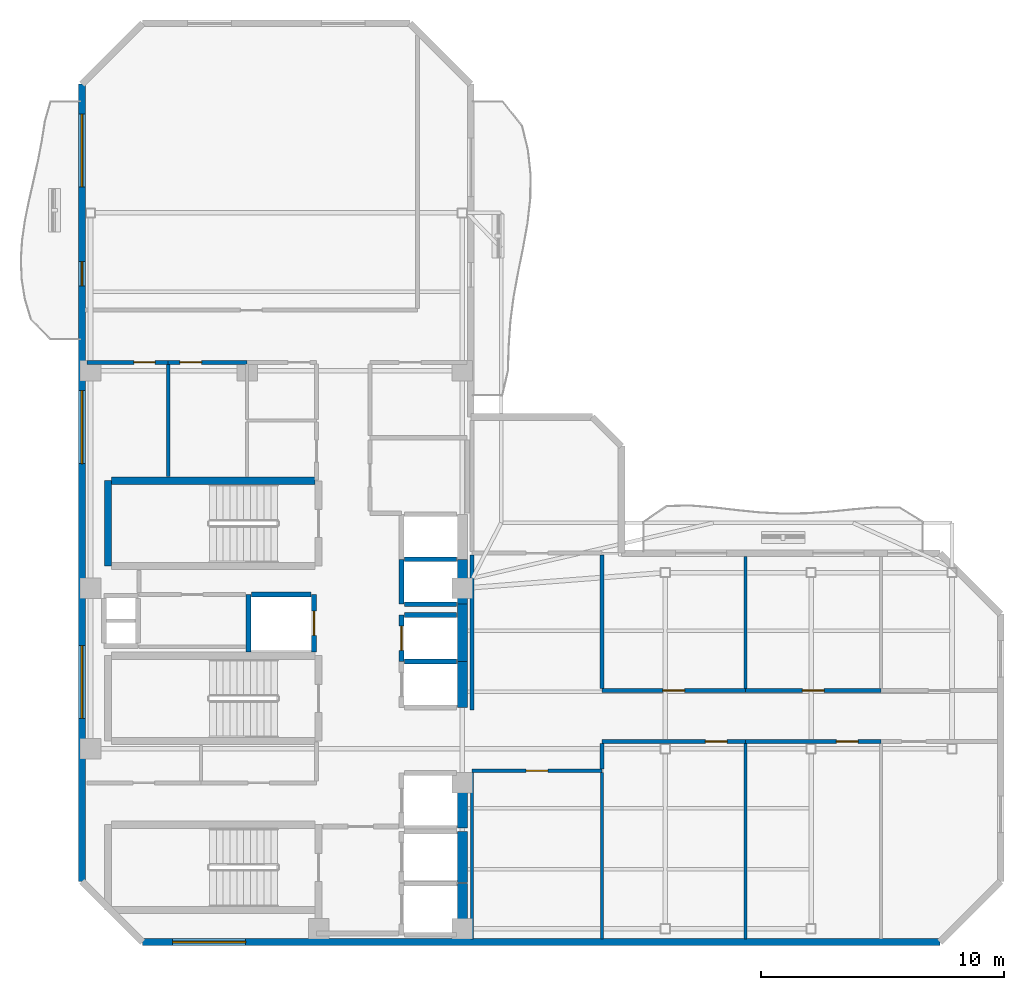
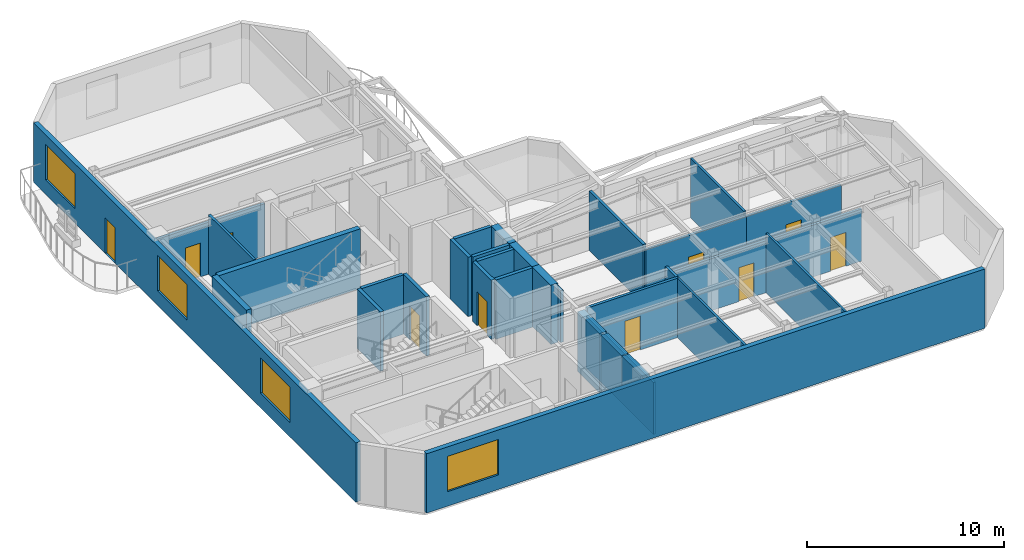
# One storey, part 3 of 7: 34 walls, 10 doors, 4 windows, 14 openings.
"""IFC4 building model written with IfcOpenShell, lengths in metres."""

from ifc_helpers import new_model, si_unit, direction, frame, frame_2d, origin, place, context, subcontext, project, spatial, rectangle, extrude, material, layer, layer_set, type_object, element, fill, save


model = new_model("IFC4")

# Units and contexts
model_context = context("Model", 3, precision=1e-05, world=origin(), true_north=direction((0.0, 1.0)))
body_context = subcontext(model_context, "Body", "Model", "MODEL_VIEW")
ifc_project = project(units=[si_unit("LENGTHUNIT", "METRE"), si_unit("AREAUNIT", "SQUARE_METRE"), si_unit("VOLUMEUNIT", "CUBIC_METRE"), si_unit("PLANEANGLEUNIT", "RADIAN"), si_unit("MASSUNIT", "GRAM", prefix="KILO")], contexts=[model_context])

# Site, building, storey
site_placement = place(None, origin())
site = spatial("IfcSite", under=ifc_project, at=site_placement, CompositionType="ELEMENT")
building_placement = place(site_placement, origin())
building = spatial("IfcBuilding", under=site, at=building_placement, Name="Mawjaban Terraces University", CompositionType="ELEMENT")
storey_placement = place(building_placement, frame((0.0, 0.0, 291.10009765625)))
storey = spatial("IfcBuildingStorey", under=building, at=storey_placement, Name="L71", CompositionType="ELEMENT", Elevation=291.10009765625)

# Walls
ifc_material_1 = material(Name="Concrete C50/60", Category="concrete")
ifc_layer_1 = layer(ifc_material_1, 0.419921875)
ifc_layer_set_1 = layer_set([ifc_layer_1], Name="Concrete C50/60")
wall_type_1 = type_object("IfcWallType", Name="CoreShearWall_420", PredefinedType="SHEAR", material=ifc_layer_set_1)
wall_1_placement = place(storey_placement, frame((37.659912109375, 0.300048828125, 0.0), z_axis=(0.0, 0.0, 1.0), x_axis=(0.0, 1.0, 0.0)))
element("IfcWall", 1, at=wall_1_placement, inside=storey, type_object=wall_type_1, Name="L71 Lift FL-1 Hoistway Wall East", PredefinedType="SHEAR", context=body_context, shape_type="SweptSolid", body=[
    extrude(rectangle(XDim=2.099853515625, YDim=0.419921875, at=frame_2d((1.0498046875, 0.0))), origin(), (0.0, 0.0, 1.0), 3.68994140625),
])
wall_2_placement = place(storey_placement, frame((37.659912109375, 2.449951171875, 0.0), z_axis=(0.0, 0.0, 1.0), x_axis=(0.0, 1.0, 0.0)))
element("IfcWall", 2, at=wall_2_placement, inside=storey, type_object=wall_type_1, Name="L71 Lift FL-2 Hoistway Wall East", PredefinedType="SHEAR", context=body_context, shape_type="SweptSolid", body=[
    extrude(rectangle(XDim=2.10009765625, YDim=0.419921875, at=frame_2d((1.050048828125, 0.0))), origin(), (0.0, 0.0, 1.0), 3.68994140625),
])
wall_3_placement = place(storey_placement, frame((37.659912109375, 4.699951171875, 0.0), z_axis=(0.0, 0.0, 1.0), x_axis=(0.0, 1.0, 0.0)))
element("IfcWall", 3, at=wall_3_placement, inside=storey, type_object=wall_type_1, Name="L71 Lift SL-1 Hoistway Wall East", PredefinedType="SHEAR", context=body_context, shape_type="SweptSolid", body=[
    extrude(rectangle(XDim=2.25, YDim=0.419921875, at=frame_2d((1.125, 0.0))), origin(), (0.0, 0.0, 1.0), 3.68994140625),
])
wall_4_placement = place(storey_placement, frame((37.659912109375, 9.64990234375, 0.0), z_axis=(0.0, 0.0, 1.0), x_axis=(0.0, 1.0, 0.0)))
element("IfcWall", 4, at=wall_4_placement, inside=storey, type_object=wall_type_1, Name="L71 Lift PL-H1 Hoistway Wall East", PredefinedType="SHEAR", context=body_context, shape_type="SweptSolid", body=[
    extrude(rectangle(XDim=1.900146484375, YDim=0.419921875, at=frame_2d((0.9501953125, 0.0))), origin(), (0.0, 0.0, 1.0), 3.68994140625),
])
wall_5_placement = place(storey_placement, frame((37.659912109375, 11.550048828125, 0.0), z_axis=(0.0, 0.0, 1.0), x_axis=(0.0, 1.0, 0.0)))
element("IfcWall", 5, at=wall_5_placement, inside=storey, type_object=wall_type_1, Name="L71 Lift PL-H2 Hoistway Wall East", PredefinedType="SHEAR", context=body_context, shape_type="SweptSolid", body=[
    extrude(rectangle(XDim=2.349853515625, YDim=0.419921875, at=frame_2d((1.1748046875, 0.0))), origin(), (0.0, 0.0, 1.0), 3.68994140625),
])
wall_6_placement = place(storey_placement, frame((37.659912109375, 13.89990234375, 0.0), z_axis=(0.0, 0.0, 1.0), x_axis=(0.0, 1.0, 0.0)))
element("IfcWall", 6, at=wall_6_placement, inside=storey, type_object=wall_type_1, Name="L71 Lift OL-1 Hoistway Wall East", PredefinedType="SHEAR", context=body_context, shape_type="SweptSolid", body=[
    extrude(rectangle(XDim=1.85009765625, YDim=0.419921875, at=frame_2d((0.925048828125, 0.0))), origin(), (0.0, 0.0, 1.0), 3.68994140625),
])

# Wall, opening, door
ifc_material_2 = material(Name="Fire-rated gypsum board on steel stud", Category="steel")
ifc_layer_2 = layer(ifc_material_2, 0.159912109375)
ifc_layer_set_2 = layer_set([ifc_layer_2], Name="Fire-rated gypsum board on steel stud")
wall_type_2 = type_object("IfcWallType", Name="CorridorPartition_160", PredefinedType="PARTITIONING", material=ifc_layer_set_2)
wall_7_placement = place(storey_placement, frame((25.550048828125, 23.85009765625, 0.0), z_axis=(0.0, 0.0, 1.0), x_axis=(-1.0, 0.0, 0.0)))
wall_7 = element("IfcWall", 7, at=wall_7_placement, inside=storey, type_object=wall_type_2, Name="L71 Female Toilet Partition 3", PredefinedType="PARTITIONING", context=body_context, shape_type="SweptSolid", body=[
    extrude(rectangle(XDim=3.35009765625, YDim=0.159912109375, at=frame_2d((1.675048828125, 0.0))), origin(), (0.0, 0.0, 1.0), 3.226806640625),
])
opening_1_placement = place(wall_7_placement, frame((0.534912109375, 0.0, 0.0)))
opening_1 = element("IfcOpeningElement", 8, at=opening_1_placement, cuts=wall_7, Name="Opening ID-088", PredefinedType="OPENING", context=body_context, shape_type="SweptSolid", body=[
    extrude(rectangle(XDim=0.8798828125, YDim=2.10009765625, at=frame_2d((0.43994140625, 1.050048828125))), frame((0.0, 0.08984375, 0.0), z_axis=(0.0, -1.0, 0.0), x_axis=(1.0, 0.0, 0.0)), (0.0, 0.0, 1.0), 0.179931640625),
])
ifc_material_3 = material(Name="Powder-coated steel frame and solid acoustic timber leaf", Category="steel")
door_type_1 = type_object("IfcDoorType", Name="ToiletDoor_880x2100", OperationType="NOTDEFINED", PredefinedType="DOOR", material=ifc_material_3)
door_1_placement = place(opening_1_placement, origin())
door_1 = element("IfcDoor", 9, at=door_1_placement, inside=storey, type_object=door_type_1, Name="L71 Female Toilet Door", OperationType="SINGLE_SWING_LEFT", OverallHeight=2.10009765625, OverallWidth=0.8798828125, PredefinedType="DOOR", context=body_context, shape_type="SweptSolid", body=[
    extrude(rectangle(XDim=0.8798828125, YDim=2.10009765625, at=frame_2d((0.43994140625, 1.050048828125))), frame((0.0, 0.02490234375, 0.0), z_axis=(0.0, -1.0, 0.0), x_axis=(1.0, 0.0, 0.0)), (0.0, 0.0, 1.0), 0.050048828125),
])
fill(opening_1, door_1)

wall_8_placement = place(storey_placement, frame((28.800048828125, 23.85009765625, 0.0), z_axis=(0.0, 0.0, 1.0), x_axis=(-1.0, 0.0, 0.0)))
wall_8 = element("IfcWall", 10, at=wall_8_placement, inside=storey, type_object=wall_type_2, Name="L71 Staff Tea Pantry Partition 5", PredefinedType="PARTITIONING", context=body_context, shape_type="SweptSolid", body=[
    extrude(rectangle(XDim=3.25, YDim=0.159912109375, at=frame_2d((1.625, 0.0))), origin(), (0.0, 0.0, 1.0), 3.226806640625),
])
opening_2_placement = place(wall_8_placement, frame((1.875, 0.0, 0.0)))
opening_2 = element("IfcOpeningElement", 11, at=opening_2_placement, cuts=wall_8, Name="Opening ID-090", PredefinedType="OPENING", context=body_context, shape_type="SweptSolid", body=[
    extrude(rectangle(XDim=0.89990234375, YDim=2.10009765625, at=frame_2d((0.449951171875, 1.050048828125))), frame((0.0, 0.08984375, 0.0), z_axis=(0.0, -1.0, 0.0), x_axis=(1.0, 0.0, 0.0)), (0.0, 0.0, 1.0), 0.179931640625),
])
door_type_2 = type_object("IfcDoorType", Name="OfficeDoor_900x2100", OperationType="NOTDEFINED", PredefinedType="DOOR", material=ifc_material_3)
door_2_placement = place(opening_2_placement, origin())
door_2 = element("IfcDoor", 12, at=door_2_placement, inside=storey, type_object=door_type_2, Name="L71 Staff Tea Pantry Door", OperationType="SINGLE_SWING_RIGHT", OverallHeight=2.10009765625, OverallWidth=0.89990234375, PredefinedType="DOOR", context=body_context, shape_type="SweptSolid", body=[
    extrude(rectangle(XDim=0.89990234375, YDim=2.10009765625, at=frame_2d((0.449951171875, 1.050048828125))), frame((0.0, 0.02490234375, 0.0), z_axis=(0.0, -1.0, 0.0), x_axis=(1.0, 0.0, 0.0)), (0.0, 0.0, 1.0), 0.050048828125),
])
fill(opening_2, door_2)

wall_9_placement = place(storey_placement, frame((38.050048828125, 7.050048828125, 0.0), z_axis=(0.0, 0.0, 1.0), x_axis=(1.0, 0.0, 0.0)))
wall_9 = element("IfcWall", 13, at=wall_9_placement, inside=storey, type_object=wall_type_2, Name="L71 Upper Research Hub Concourse Partition 15", PredefinedType="PARTITIONING", context=body_context, shape_type="SweptSolid", body=[
    extrude(rectangle(XDim=5.349853515625, YDim=0.159912109375, at=frame_2d((2.6748046875, 0.0))), origin(), (0.0, 0.0, 1.0), 3.68994140625),
])
opening_3_placement = place(wall_9_placement, frame((2.22509765625, 0.0, 0.0)))
opening_3 = element("IfcOpeningElement", 14, at=opening_3_placement, cuts=wall_9, Name="Opening ID-090", PredefinedType="OPENING", context=body_context, shape_type="SweptSolid", body=[
    extrude(rectangle(XDim=0.89990234375, YDim=2.10009765625, at=frame_2d((0.449951171875, 1.050048828125))), frame((0.0, 0.08984375, 0.0), z_axis=(0.0, -1.0, 0.0), x_axis=(1.0, 0.0, 0.0)), (0.0, 0.0, 1.0), 0.179931640625),
])
door_3_placement = place(opening_3_placement, origin())
door_3 = element("IfcDoor", 15, at=door_3_placement, inside=storey, type_object=door_type_2, Name="L71 Collaborative Study Room 1 Door", OperationType="SINGLE_SWING_LEFT", OverallHeight=2.10009765625, OverallWidth=0.89990234375, PredefinedType="DOOR", context=body_context, shape_type="SweptSolid", body=[
    extrude(rectangle(XDim=0.89990234375, YDim=2.10009765625, at=frame_2d((0.449951171875, 1.050048828125))), frame((0.0, 0.02490234375, 0.0), z_axis=(0.0, -1.0, 0.0), x_axis=(1.0, 0.0, 0.0)), (0.0, 0.0, 1.0), 0.050048828125),
])
fill(opening_3, door_3)

wall_10_placement = place(storey_placement, frame((43.39990234375, 8.25, 0.0), z_axis=(0.0, 0.0, 1.0), x_axis=(1.0, 0.0, 0.0)))
wall_10 = element("IfcWall", 16, at=wall_10_placement, inside=storey, type_object=wall_type_2, Name="L71 Upper East Research Corridor Partition 16", PredefinedType="PARTITIONING", context=body_context, shape_type="SweptSolid", body=[
    extrude(rectangle(XDim=5.900146484375, YDim=0.159912109375, at=frame_2d((2.9501953125, 0.0))), origin(), (0.0, 0.0, 1.0), 3.226806640625),
])
opening_4_placement = place(wall_10_placement, frame((4.25, 0.0, 0.0)))
opening_4 = element("IfcOpeningElement", 17, at=opening_4_placement, cuts=wall_10, Name="Opening ID-090", PredefinedType="OPENING", context=body_context, shape_type="SweptSolid", body=[
    extrude(rectangle(XDim=0.89990234375, YDim=2.10009765625, at=frame_2d((0.449951171875, 1.050048828125))), frame((0.0, 0.08984375, 0.0), z_axis=(0.0, -1.0, 0.0), x_axis=(1.0, 0.0, 0.0)), (0.0, 0.0, 1.0), 0.179931640625),
])
door_4_placement = place(opening_4_placement, origin())
door_4 = element("IfcDoor", 18, at=door_4_placement, inside=storey, type_object=door_type_2, Name="L71 Graduate Study Lounge 2 Door", OperationType="SINGLE_SWING_RIGHT", OverallHeight=2.10009765625, OverallWidth=0.89990234375, PredefinedType="DOOR", context=body_context, shape_type="SweptSolid", body=[
    extrude(rectangle(XDim=0.89990234375, YDim=2.10009765625, at=frame_2d((0.449951171875, 1.050048828125))), frame((0.0, 0.02490234375, 0.0), z_axis=(0.0, -1.0, 0.0), x_axis=(1.0, 0.0, 0.0)), (0.0, 0.0, 1.0), 0.050048828125),
])
fill(opening_4, door_4)

wall_11_placement = place(storey_placement, frame((49.300048828125, 8.25, 0.0), z_axis=(0.0, 0.0, 1.0), x_axis=(1.0, 0.0, 0.0)))
wall_11 = element("IfcWall", 19, at=wall_11_placement, inside=storey, type_object=wall_type_2, Name="L71 Upper East Research Corridor Partition 18", PredefinedType="PARTITIONING", context=body_context, shape_type="SweptSolid", body=[
    extrude(rectangle(XDim=5.579833984375, YDim=0.159912109375, at=frame_2d((2.7900390625, 0.0))), origin(), (0.0, 0.0, 1.0), 3.226806640625),
])
opening_5_placement = place(wall_11_placement, frame((3.739990234375, 0.0, 0.0)))
opening_5 = element("IfcOpeningElement", 20, at=opening_5_placement, cuts=wall_11, Name="Opening ID-090", PredefinedType="OPENING", context=body_context, shape_type="SweptSolid", body=[
    extrude(rectangle(XDim=0.89990234375, YDim=2.10009765625, at=frame_2d((0.449951171875, 1.050048828125))), frame((0.0, 0.08984375, 0.0), z_axis=(0.0, -1.0, 0.0), x_axis=(1.0, 0.0, 0.0)), (0.0, 0.0, 1.0), 0.179931640625),
])
door_5_placement = place(opening_5_placement, origin())
door_5 = element("IfcDoor", 21, at=door_5_placement, inside=storey, type_object=door_type_2, Name="L71 Graduate Study Lounge 4 Door", OperationType="SINGLE_SWING_RIGHT", OverallHeight=2.10009765625, OverallWidth=0.89990234375, PredefinedType="DOOR", context=body_context, shape_type="SweptSolid", body=[
    extrude(rectangle(XDim=0.89990234375, YDim=2.10009765625, at=frame_2d((0.449951171875, 1.050048828125))), frame((0.0, 0.02490234375, 0.0), z_axis=(0.0, -1.0, 0.0), x_axis=(1.0, 0.0, 0.0)), (0.0, 0.0, 1.0), 0.050048828125),
])
fill(opening_5, door_5)

wall_12_placement = place(storey_placement, frame((49.300048828125, 10.35009765625, 0.0), z_axis=(0.0, 0.0, 1.0), x_axis=(-1.0, 0.0, 0.0)))
wall_12 = element("IfcWall", 22, at=wall_12_placement, inside=storey, type_object=wall_type_2, Name="L71 Upper East Research Corridor Partition 19", PredefinedType="PARTITIONING", context=body_context, shape_type="SweptSolid", body=[
    extrude(rectangle(XDim=5.900146484375, YDim=0.159912109375, at=frame_2d((2.9501953125, 0.0))), origin(), (0.0, 0.0, 1.0), 3.423828125),
])
opening_6_placement = place(wall_12_placement, frame((2.5, 0.0, 0.0)))
opening_6 = element("IfcOpeningElement", 23, at=opening_6_placement, cuts=wall_12, Name="Opening ID-090", PredefinedType="OPENING", context=body_context, shape_type="SweptSolid", body=[
    extrude(rectangle(XDim=0.89990234375, YDim=2.10009765625, at=frame_2d((0.449951171875, 1.050048828125))), frame((0.0, 0.08984375, 0.0), z_axis=(0.0, -1.0, 0.0), x_axis=(1.0, 0.0, 0.0)), (0.0, 0.0, 1.0), 0.179931640625),
])
door_6_placement = place(opening_6_placement, origin())
door_6 = element("IfcDoor", 24, at=door_6_placement, inside=storey, type_object=door_type_2, Name="L71 Collaborative Study Room 3 Door", OperationType="SINGLE_SWING_LEFT", OverallHeight=2.10009765625, OverallWidth=0.89990234375, PredefinedType="DOOR", context=body_context, shape_type="SweptSolid", body=[
    extrude(rectangle(XDim=0.89990234375, YDim=2.10009765625, at=frame_2d((0.449951171875, 1.050048828125))), frame((0.0, 0.02490234375, 0.0), z_axis=(0.0, -1.0, 0.0), x_axis=(1.0, 0.0, 0.0)), (0.0, 0.0, 1.0), 0.050048828125),
])
fill(opening_6, door_6)

wall_13_placement = place(storey_placement, frame((54.8798828125, 10.35009765625, 0.0), z_axis=(0.0, 0.0, 1.0), x_axis=(-1.0, 0.0, 0.0)))
wall_13 = element("IfcWall", 25, at=wall_13_placement, inside=storey, type_object=wall_type_2, Name="L71 Upper East Research Corridor Partition 21", PredefinedType="PARTITIONING", context=body_context, shape_type="SweptSolid", body=[
    extrude(rectangle(XDim=5.579833984375, YDim=0.159912109375, at=frame_2d((2.7900390625, 0.0))), origin(), (0.0, 0.0, 1.0), 3.423828125),
])
opening_7_placement = place(wall_13_placement, frame((2.340087890625, 0.0, 0.0)))
opening_7 = element("IfcOpeningElement", 26, at=opening_7_placement, cuts=wall_13, Name="Opening ID-090", PredefinedType="OPENING", context=body_context, shape_type="SweptSolid", body=[
    extrude(rectangle(XDim=0.89990234375, YDim=2.10009765625, at=frame_2d((0.449951171875, 1.050048828125))), frame((0.0, 0.08984375, 0.0), z_axis=(0.0, -1.0, 0.0), x_axis=(1.0, 0.0, 0.0)), (0.0, 0.0, 1.0), 0.179931640625),
])
door_7_placement = place(opening_7_placement, origin())
door_7 = element("IfcDoor", 27, at=door_7_placement, inside=storey, type_object=door_type_2, Name="L71 Collaborative Study Room 5 Door", OperationType="SINGLE_SWING_LEFT", OverallHeight=2.10009765625, OverallWidth=0.89990234375, PredefinedType="DOOR", context=body_context, shape_type="SweptSolid", body=[
    extrude(rectangle(XDim=0.89990234375, YDim=2.10009765625, at=frame_2d((0.449951171875, 1.050048828125))), frame((0.0, 0.02490234375, 0.0), z_axis=(0.0, -1.0, 0.0), x_axis=(1.0, 0.0, 0.0)), (0.0, 0.0, 1.0), 0.050048828125),
])
fill(opening_7, door_7)

# Walls
wall_14_placement = place(storey_placement, frame((38.050048828125, 15.925048828125, 0.0), z_axis=(0.0, 0.0, 1.0), x_axis=(0.0, -1.0, 0.0)))
element("IfcWall", 28, at=wall_14_placement, inside=storey, type_object=wall_type_2, Name="L71 Upper Research Hub Concourse Partition 36", PredefinedType="PARTITIONING", context=body_context, shape_type="SweptSolid", body=[
    extrude(rectangle(XDim=6.375, YDim=0.159912109375, at=frame_2d((3.1875, 0.0))), origin(), (0.0, 0.0, 1.0), 3.226806640625),
])
wall_15_placement = place(storey_placement, frame((43.39990234375, 7.125, 0.0), z_axis=(0.0, 0.0, 1.0), x_axis=(0.0, 1.0, 0.0)))
element("IfcWall", 29, at=wall_15_placement, inside=storey, type_object=wall_type_2, Name="L71 Upper Research Hub Concourse Partition 39", PredefinedType="PARTITIONING", context=body_context, shape_type="SweptSolid", body=[
    extrude(rectangle(XDim=1.050048828125, YDim=0.159912109375, at=frame_2d((0.52490234375, 0.0))), origin(), (0.0, 0.0, 1.0), 3.68994140625),
])
wall_16_placement = place(storey_placement, frame((43.39990234375, 10.425048828125, 0.0), z_axis=(0.0, 0.0, 1.0), x_axis=(0.0, 1.0, 0.0)))
element("IfcWall", 30, at=wall_16_placement, inside=storey, type_object=wall_type_2, Name="L71 Upper Research Hub Concourse Partition 40", PredefinedType="PARTITIONING", context=body_context, shape_type="SweptSolid", body=[
    extrude(rectangle(XDim=5.5, YDim=0.159912109375, at=frame_2d((2.75, 0.0))), origin(), (0.0, 0.0, 1.0), 3.68994140625),
])

# Wall, opening, window
ifc_material_4 = material(Name="Insulated terracotta rainscreen on concrete backup C40/50", Category="masonry")
ifc_layer_3 = layer(ifc_material_4, 0.27490234375)
ifc_layer_set_3 = layer_set([ifc_layer_3], Name="Insulated terracotta rainscreen on concrete backup C40/50")
wall_type_3 = type_object("IfcWallType", Name="ExtTerracottaWall_275", PredefinedType="SOLIDWALL", material=ifc_layer_set_3)
wall_17_placement = place(storey_placement, frame((24.5, 0.0, 0.0), z_axis=(0.0, 0.0, 1.0), x_axis=(1.0, 0.0, 0.0)))
wall_17 = element("IfcWall", 31, at=wall_17_placement, inside=storey, type_object=wall_type_3, Name="L71 Exterior Terracotta Wall 1", PredefinedType="SOLIDWALL", context=body_context, shape_type="SweptSolid", body=[
    extrude(rectangle(XDim=32.800048828125, YDim=0.27490234375, at=frame_2d((16.39990234375, 0.0))), origin(), (0.0, 0.0, 1.0), 3.68994140625),
])
opening_8_placement = place(wall_17_placement, frame((1.23291015625, 0.0, 0.89990234375)))
opening_8 = element("IfcOpeningElement", 32, at=opening_8_placement, cuts=wall_17, Name="Opening W-12", PredefinedType="OPENING", context=body_context, shape_type="SweptSolid", body=[
    extrude(rectangle(XDim=3.0, YDim=2.199951171875, at=frame_2d((1.5, 1.10009765625))), frame((0.0, 0.1474609375, 0.0), z_axis=(0.0, -1.0, 0.0), x_axis=(1.0, 0.0, 0.0)), (0.0, 0.0, 1.0), 0.294921875),
])
ifc_material_5 = material(Name="Low-E solar-control double glazing in thermally broken aluminium frame", Category="aluminium")
window_type = type_object("IfcWindowType", Name="Win_3000x2200", PartitioningType="SINGLE_PANEL", PredefinedType="WINDOW", material=ifc_material_5)
window_1_placement = place(opening_8_placement, origin())
window_1 = element("IfcWindow", 33, at=window_1_placement, inside=storey, type_object=window_type, Name="L71 Facade Window 1.1", OverallHeight=2.199951171875, OverallWidth=3.0, PartitioningType="SINGLE_PANEL", PredefinedType="WINDOW", context=body_context, shape_type="SweptSolid", body=[
    extrude(rectangle(XDim=3.0, YDim=2.199951171875, at=frame_2d((1.5, 1.10009765625))), frame((0.0, 0.030029296875, 0.0), z_axis=(0.0, -1.0, 0.0), x_axis=(1.0, 0.0, 0.0)), (0.0, 0.0, 1.0), 0.06005859375),
])
fill(opening_8, window_1)

# Wall, openings, door, windows
wall_18_placement = place(storey_placement, frame((22.0, 35.300048828125, 0.0), z_axis=(0.0, 0.0, 1.0), x_axis=(0.0, -1.0, 0.0)))
wall_18 = element("IfcWall", 34, at=wall_18_placement, inside=storey, type_object=wall_type_3, Name="L71 Exterior Terracotta Wall 13", PredefinedType="SOLIDWALL", context=body_context, shape_type="SweptSolid", body=[
    extrude(rectangle(XDim=32.800048828125, YDim=0.27490234375, at=frame_2d((16.39990234375, 0.0))), origin(), (0.0, 0.0, 1.0), 3.68994140625),
])
opening_9_placement = place(wall_18_placement, frame((7.300048828125, 0.0, 0.0)))
opening_9 = element("IfcOpeningElement", 35, at=opening_9_placement, cuts=wall_18, Name="Opening BD-100", PredefinedType="OPENING", context=body_context, shape_type="SweptSolid", body=[
    extrude(rectangle(XDim=1.0, YDim=2.199951171875, at=frame_2d((0.5, 1.10009765625))), frame((0.0, 0.1474609375, 0.0), z_axis=(0.0, -1.0, 0.0), x_axis=(1.0, 0.0, 0.0)), (0.0, 0.0, 1.0), 0.294921875),
])
opening_10_placement = place(wall_18_placement, frame((1.23291015625, 0.0, 0.89990234375)))
opening_10 = element("IfcOpeningElement", 36, at=opening_10_placement, cuts=wall_18, Name="Opening W-12", PredefinedType="OPENING", context=body_context, shape_type="SweptSolid", body=[
    extrude(rectangle(XDim=3.0, YDim=2.199951171875, at=frame_2d((1.5, 1.10009765625))), frame((0.0, 0.1474609375, 0.0), z_axis=(0.0, -1.0, 0.0), x_axis=(1.0, 0.0, 0.0)), (0.0, 0.0, 1.0), 0.294921875),
])
opening_11_placement = place(wall_18_placement, frame((12.616943359375, 0.0, 0.89990234375)))
opening_11 = element("IfcOpeningElement", 37, at=opening_11_placement, cuts=wall_18, Name="Opening W-12", PredefinedType="OPENING", context=body_context, shape_type="SweptSolid", body=[
    extrude(rectangle(XDim=3.0, YDim=2.199951171875, at=frame_2d((1.5, 1.10009765625))), frame((0.0, 0.1474609375, 0.0), z_axis=(0.0, -1.0, 0.0), x_axis=(1.0, 0.0, 0.0)), (0.0, 0.0, 1.0), 0.294921875),
])
opening_12_placement = place(wall_18_placement, frame((23.10009765625, 0.0, 0.89990234375)))
opening_12 = element("IfcOpeningElement", 38, at=opening_12_placement, cuts=wall_18, Name="Opening W-12", PredefinedType="OPENING", context=body_context, shape_type="SweptSolid", body=[
    extrude(rectangle(XDim=3.0, YDim=2.199951171875, at=frame_2d((1.5, 1.10009765625))), frame((0.0, 0.1474609375, 0.0), z_axis=(0.0, -1.0, 0.0), x_axis=(1.0, 0.0, 0.0)), (0.0, 0.0, 1.0), 0.294921875),
])
ifc_material_6 = material(Name="Thermally broken anodised aluminium and laminated safety glass", Category="aluminium")
door_type_3 = type_object("IfcDoorType", Name="BalconyGlazedDoor_1000x2200", OperationType="NOTDEFINED", PredefinedType="DOOR", material=ifc_material_6)
door_8_placement = place(opening_9_placement, origin())
door_8 = element("IfcDoor", 39, at=door_8_placement, inside=storey, type_object=door_type_3, Name="L71 Balcony Access Door west", OperationType="SINGLE_SWING_RIGHT", OverallHeight=2.199951171875, OverallWidth=1.0, PredefinedType="DOOR", context=body_context, shape_type="SweptSolid", body=[
    extrude(rectangle(XDim=1.0, YDim=2.199951171875, at=frame_2d((0.5, 1.10009765625))), frame((0.0, 0.02490234375, 0.0), z_axis=(0.0, -1.0, 0.0), x_axis=(1.0, 0.0, 0.0)), (0.0, 0.0, 1.0), 0.050048828125),
])
fill(opening_9, door_8)
window_2_placement = place(opening_10_placement, origin())
window_2 = element("IfcWindow", 40, at=window_2_placement, inside=storey, type_object=window_type, Name="L71 Facade Window 13.1", OverallHeight=2.199951171875, OverallWidth=3.0, PartitioningType="SINGLE_PANEL", PredefinedType="WINDOW", context=body_context, shape_type="SweptSolid", body=[
    extrude(rectangle(XDim=3.0, YDim=2.199951171875, at=frame_2d((1.5, 1.10009765625))), frame((0.0, 0.030029296875, 0.0), z_axis=(0.0, -1.0, 0.0), x_axis=(1.0, 0.0, 0.0)), (0.0, 0.0, 1.0), 0.06005859375),
])
fill(opening_10, window_2)
window_3_placement = place(opening_11_placement, origin())
window_3 = element("IfcWindow", 41, at=window_3_placement, inside=storey, type_object=window_type, Name="L71 Facade Window 13.3", OverallHeight=2.199951171875, OverallWidth=3.0, PartitioningType="SINGLE_PANEL", PredefinedType="WINDOW", context=body_context, shape_type="SweptSolid", body=[
    extrude(rectangle(XDim=3.0, YDim=2.199951171875, at=frame_2d((1.5, 1.10009765625))), frame((0.0, 0.030029296875, 0.0), z_axis=(0.0, -1.0, 0.0), x_axis=(1.0, 0.0, 0.0)), (0.0, 0.0, 1.0), 0.06005859375),
])
fill(opening_11, window_3)
window_4_placement = place(opening_12_placement, origin())
window_4 = element("IfcWindow", 42, at=window_4_placement, inside=storey, type_object=window_type, Name="L71 Facade Window 13.5", OverallHeight=2.199951171875, OverallWidth=3.0, PartitioningType="SINGLE_PANEL", PredefinedType="WINDOW", context=body_context, shape_type="SweptSolid", body=[
    extrude(rectangle(XDim=3.0, YDim=2.199951171875, at=frame_2d((1.5, 1.10009765625))), frame((0.0, 0.030029296875, 0.0), z_axis=(0.0, -1.0, 0.0), x_axis=(1.0, 0.0, 0.0)), (0.0, 0.0, 1.0), 0.06005859375),
])
fill(opening_12, window_4)

# Wall
ifc_material_7 = material(Name="Concrete C40/50", Category="concrete")
ifc_layer_4 = layer(ifc_material_7, 0.199951171875)
ifc_layer_set_4 = layer_set([ifc_layer_4], Name="Concrete C40/50")
wall_type_4 = type_object("IfcWallType", Name="FireLobbyWall_200", PredefinedType="SOLIDWALL", material=ifc_layer_set_4)
wall_19_placement = place(storey_placement, frame((37.419921875, 11.550048828125, 0.0), z_axis=(0.0, 0.0, 1.0), x_axis=(-1.0, 0.0, 0.0)))
element("IfcWall", 43, at=wall_19_placement, inside=storey, type_object=wall_type_4, Name="L71 Lift PL-H1 Hoistway Wall North", PredefinedType="SOLIDWALL", context=body_context, shape_type="SweptSolid", body=[
    extrude(rectangle(XDim=2.139892578125, YDim=0.199951171875, at=frame_2d((1.06982421875, 0.0))), origin(), (0.0, 0.0, 1.0), 3.68994140625),
])

# Wall, opening, door
wall_20_placement = place(storey_placement, frame((35.14990234375, 13.449951171875, 0.0), z_axis=(0.0, 0.0, 1.0), x_axis=(0.0, -1.0, 0.0)))
wall_20 = element("IfcWall", 44, at=wall_20_placement, inside=storey, type_object=wall_type_4, Name="L71 Lift PL-H2 Hoistway Wall West", PredefinedType="SOLIDWALL", context=body_context, shape_type="SweptSolid", body=[
    extrude(rectangle(XDim=1.89990234375, YDim=0.199951171875, at=frame_2d((0.949951171875, 0.0))), origin(), (0.0, 0.0, 1.0), 3.68994140625),
])
opening_13_placement = place(wall_20_placement, frame((0.449951171875, 0.0, 0.0)))
opening_13 = element("IfcOpeningElement", 45, at=opening_13_placement, cuts=wall_20, Name="Opening LD-PL-H2", PredefinedType="OPENING", context=body_context, shape_type="SweptSolid", body=[
    extrude(rectangle(XDim=1.0, YDim=2.10009765625, at=frame_2d((0.5, 1.050048828125))), frame((0.0, 0.10986328125, 0.0), z_axis=(0.0, -1.0, 0.0), x_axis=(1.0, 0.0, 0.0)), (0.0, 0.0, 1.0), 0.219970703125),
])
ifc_material_8 = material(Name="Powder-coated steel frame and fire-rated steel-faced leaf", Category="steel")
door_type_4 = type_object("IfcDoorType", Name="LiftLandingSliding_1000x2100", OperationType="NOTDEFINED", PredefinedType="DOOR", material=ifc_material_8)
door_9_placement = place(opening_13_placement, origin())
door_9 = element("IfcDoor", 46, at=door_9_placement, inside=storey, type_object=door_type_4, Name="L71 Lift PL-H2 Sliding Landing Door", OperationType="DOUBLE_DOOR_SLIDING", OverallHeight=2.10009765625, OverallWidth=1.0, PredefinedType="DOOR", context=body_context, shape_type="SweptSolid", body=[
    extrude(rectangle(XDim=1.0, YDim=2.10009765625, at=frame_2d((0.5, 1.050048828125))), frame((0.0, 0.02490234375, 0.0), z_axis=(0.0, -1.0, 0.0), x_axis=(1.0, 0.0, 0.0)), (0.0, 0.0, 1.0), 0.050048828125),
])
fill(opening_13, door_9)

# Walls
wall_21_placement = place(storey_placement, frame((37.419921875, 13.449951171875, 0.0), z_axis=(0.0, 0.0, 1.0), x_axis=(-1.0, 0.0, 0.0)))
element("IfcWall", 47, at=wall_21_placement, inside=storey, type_object=wall_type_4, Name="L71 Lift PL-H2 Hoistway Wall North", PredefinedType="SOLIDWALL", context=body_context, shape_type="SweptSolid", body=[
    extrude(rectangle(XDim=2.139892578125, YDim=0.199951171875, at=frame_2d((1.06982421875, 0.0))), origin(), (0.0, 0.0, 1.0), 3.68994140625),
])
wall_22_placement = place(storey_placement, frame((28.85009765625, 14.300048828125, 0.0), z_axis=(0.0, 0.0, 1.0), x_axis=(0.0, -1.0, 0.0)))
element("IfcWall", 48, at=wall_22_placement, inside=storey, type_object=wall_type_4, Name="L71 Lift PL-H3 Hoistway Wall West", PredefinedType="SOLIDWALL", context=body_context, shape_type="SweptSolid", body=[
    extrude(rectangle(XDim=2.3701171875, YDim=0.199951171875, at=frame_2d((1.18505859375, 0.0))), origin(), (0.0, 0.0, 1.0), 3.68994140625),
])

# Wall, opening, door
wall_23_placement = place(storey_placement, frame((31.550048828125, 11.929931640625, 0.0), z_axis=(0.0, 0.0, 1.0), x_axis=(0.0, 1.0, 0.0)))
wall_23 = element("IfcWall", 49, at=wall_23_placement, inside=storey, type_object=wall_type_4, Name="L71 Lift PL-H3 Hoistway Wall East", PredefinedType="SOLIDWALL", context=body_context, shape_type="SweptSolid", body=[
    extrude(rectangle(XDim=2.3701171875, YDim=0.199951171875, at=frame_2d((1.18505859375, 0.0))), origin(), (0.0, 0.0, 1.0), 3.68994140625),
])
opening_14_placement = place(wall_23_placement, frame((0.68505859375, 0.0, 0.0)))
opening_14 = element("IfcOpeningElement", 50, at=opening_14_placement, cuts=wall_23, Name="Opening LD-PL-H3", PredefinedType="OPENING", context=body_context, shape_type="SweptSolid", body=[
    extrude(rectangle(XDim=1.0, YDim=2.10009765625, at=frame_2d((0.5, 1.050048828125))), frame((0.0, 0.10986328125, 0.0), z_axis=(0.0, -1.0, 0.0), x_axis=(1.0, 0.0, 0.0)), (0.0, 0.0, 1.0), 0.219970703125),
])
door_10_placement = place(opening_14_placement, origin())
door_10 = element("IfcDoor", 51, at=door_10_placement, inside=storey, type_object=door_type_4, Name="L71 Lift PL-H3 Sliding Landing Door", OperationType="DOUBLE_DOOR_SLIDING", OverallHeight=2.10009765625, OverallWidth=1.0, PredefinedType="DOOR", context=body_context, shape_type="SweptSolid", body=[
    extrude(rectangle(XDim=1.0, YDim=2.10009765625, at=frame_2d((0.5, 1.050048828125))), frame((0.0, 0.02490234375, 0.0), z_axis=(0.0, -1.0, 0.0), x_axis=(1.0, 0.0, 0.0)), (0.0, 0.0, 1.0), 0.050048828125),
])
fill(opening_14, door_10)

# Walls
wall_24_placement = place(storey_placement, frame((31.419921875, 14.300048828125, 0.0), z_axis=(0.0, 0.0, 1.0), x_axis=(-1.0, 0.0, 0.0)))
element("IfcWall", 52, at=wall_24_placement, inside=storey, type_object=wall_type_4, Name="L71 Lift PL-H3 Hoistway Wall North", PredefinedType="SOLIDWALL", context=body_context, shape_type="SweptSolid", body=[
    extrude(rectangle(XDim=2.43994140625, YDim=0.199951171875, at=frame_2d((1.219970703125, 0.0))), origin(), (0.0, 0.0, 1.0), 3.68994140625),
])
wall_25_placement = place(storey_placement, frame((35.14990234375, 15.75, 0.0), z_axis=(0.0, 0.0, 1.0), x_axis=(0.0, -1.0, 0.0)))
element("IfcWall", 53, at=wall_25_placement, inside=storey, type_object=wall_type_4, Name="L71 Lift OL-1 Hoistway Wall West", PredefinedType="SOLIDWALL", context=body_context, shape_type="SweptSolid", body=[
    extrude(rectangle(XDim=1.85009765625, YDim=0.199951171875, at=frame_2d((0.925048828125, 0.0))), origin(), (0.0, 0.0, 1.0), 3.68994140625),
])
for number, where, z_axis, x_axis, name in (
    (54, (35.280029296875, 13.89990234375, 0.0), (0.0, 0.0, 1.0), (1.0, 0.0, 0.0), "L71 Lift OL-1 Hoistway Wall South"),
    (55, (37.419921875, 15.75, 0.0), (0.0, 0.0, 1.0), (-1.0, 0.0, 0.0), "L71 Lift OL-1 Hoistway Wall North"),
):
    element("IfcWall", number, at=place(storey_placement, frame(where, z_axis=z_axis, x_axis=x_axis)), inside=storey, type_object=wall_type_4, Name=name, PredefinedType="SOLIDWALL", context=body_context, shape_type="SweptSolid", body=[
        extrude(rectangle(XDim=2.139892578125, YDim=0.199951171875, at=frame_2d((1.06982421875, 0.0))), origin(), (0.0, 0.0, 1.0), 3.68994140625),
    ])
ifc_material_9 = material(Name="Gypsum plasterboard on steel stud", Category="steel")
ifc_layer_5 = layer(ifc_material_9, 0.125)
ifc_layer_set_5 = layer_set([ifc_layer_5], Name="Gypsum plasterboard on steel stud")
wall_type_5 = type_object("IfcWallType", Name="OfficePartition_125", PredefinedType="PARTITIONING", material=ifc_layer_set_5)
wall_26_placement = place(storey_placement, frame((38.050048828125, 6.97509765625, 0.0), z_axis=(0.0, 0.0, 1.0), x_axis=(0.0, -1.0, 0.0)))
element("IfcWall", 56, at=wall_26_placement, inside=storey, type_object=wall_type_5, Name="L71 Collaborative Study Room 1 Partition 35", PredefinedType="PARTITIONING", context=body_context, shape_type="SweptSolid", body=[
    extrude(rectangle(XDim=6.842041015625, YDim=0.125, at=frame_2d((3.4208984375, 0.0))), origin(), (0.0, 0.0, 1.0), 3.226806640625),
])
wall_27_placement = place(storey_placement, frame((43.39990234375, 0.133056640625, 0.0), z_axis=(0.0, 0.0, 1.0), x_axis=(0.0, 1.0, 0.0)))
element("IfcWall", 57, at=wall_27_placement, inside=storey, type_object=wall_type_5, Name="L71 Collaborative Study Room 1 Partition 38", PredefinedType="PARTITIONING", context=body_context, shape_type="SweptSolid", body=[
    extrude(rectangle(XDim=6.842041015625, YDim=0.125, at=frame_2d((3.4208984375, 0.0))), origin(), (0.0, 0.0, 1.0), 3.68994140625),
])
wall_28_placement = place(storey_placement, frame((49.300048828125, 0.133056640625, 0.0), z_axis=(0.0, 0.0, 1.0), x_axis=(0.0, 1.0, 0.0)))
element("IfcWall", 58, at=wall_28_placement, inside=storey, type_object=wall_type_5, Name="L71 Graduate Study Lounge 2 Partition 41", PredefinedType="PARTITIONING", context=body_context, shape_type="SweptSolid", body=[
    extrude(rectangle(XDim=8.0419921875, YDim=0.125, at=frame_2d((4.02099609375, 0.0))), origin(), (0.0, 0.0, 1.0), 3.68994140625),
])
wall_29_placement = place(storey_placement, frame((49.300048828125, 10.425048828125, 0.0), z_axis=(0.0, 0.0, 1.0), x_axis=(0.0, 1.0, 0.0)))
element("IfcWall", 59, at=wall_29_placement, inside=storey, type_object=wall_type_5, Name="L71 Collaborative Study Room 3 Partition 42", PredefinedType="PARTITIONING", context=body_context, shape_type="SweptSolid", body=[
    extrude(rectangle(XDim=5.44189453125, YDim=0.125, at=frame_2d((2.720947265625, 0.0))), origin(), (0.0, 0.0, 1.0), 3.68994140625),
])
ifc_material_10 = material(Name="Concrete C60/75", Category="concrete")
ifc_layer_6 = layer(ifc_material_10, 0.300048828125)
ifc_layer_set_6 = layer_set([ifc_layer_6], Name="Concrete C60/75")
wall_type_6 = type_object("IfcWallType", Name="StairShaftWall_300", PredefinedType="SHEAR", material=ifc_layer_set_6)
wall_30_placement = place(storey_placement, frame((31.580078125, 18.97998046875, 0.0), z_axis=(0.0, 0.0, 1.0), x_axis=(-1.0, 0.0, 0.0)))
element("IfcWall", 60, at=wall_30_placement, inside=storey, type_object=wall_type_6, Name="L71 ST-2 Stair Shaft Wall 1", PredefinedType="SHEAR", context=body_context, shape_type="SweptSolid", body=[
    extrude(rectangle(XDim=8.360107421875, YDim=0.300048828125, at=frame_2d((4.18017578125, 0.0))), origin(), (0.0, 0.0, 1.0), 3.68994140625),
])
wall_31_placement = place(storey_placement, frame((23.070068359375, 18.97998046875, 0.0), z_axis=(0.0, 0.0, 1.0), x_axis=(0.0, -1.0, 0.0)))
element("IfcWall", 61, at=wall_31_placement, inside=storey, type_object=wall_type_6, Name="L71 ST-2 Stair Shaft Wall 2", PredefinedType="SHEAR", context=body_context, shape_type="SweptSolid", body=[
    extrude(rectangle(XDim=3.510009765625, YDim=0.300048828125, at=frame_2d((1.7548828125, 0.0))), origin(), (0.0, 0.0, 1.0), 3.68994140625),
])
ifc_material_11 = material(Name="Cement-board wet-room partition", Category="masonry")
ifc_layer_7 = layer(ifc_material_11, 0.135009765625)
ifc_layer_set_7 = layer_set([ifc_layer_7], Name="Cement-board wet-room partition")
wall_type_7 = type_object("IfcWallType", Name="WetRoomPartition_135", PredefinedType="PARTITIONING", material=ifc_layer_set_7)
wall_32_placement = place(storey_placement, frame((25.550048828125, 19.159912109375, 0.0), z_axis=(0.0, 0.0, 1.0), x_axis=(0.0, 1.0, 0.0)))
element("IfcWall", 62, at=wall_32_placement, inside=storey, type_object=wall_type_7, Name="L71 Female Toilet Partition 24", PredefinedType="PARTITIONING", context=body_context, shape_type="SweptSolid", body=[
    extrude(rectangle(XDim=4.614990234375, YDim=0.135009765625, at=frame_2d((2.3076171875, 0.0))), origin(), (0.0, 0.0, 1.0), 3.68994140625),
])

save(model, "model.ifc")
